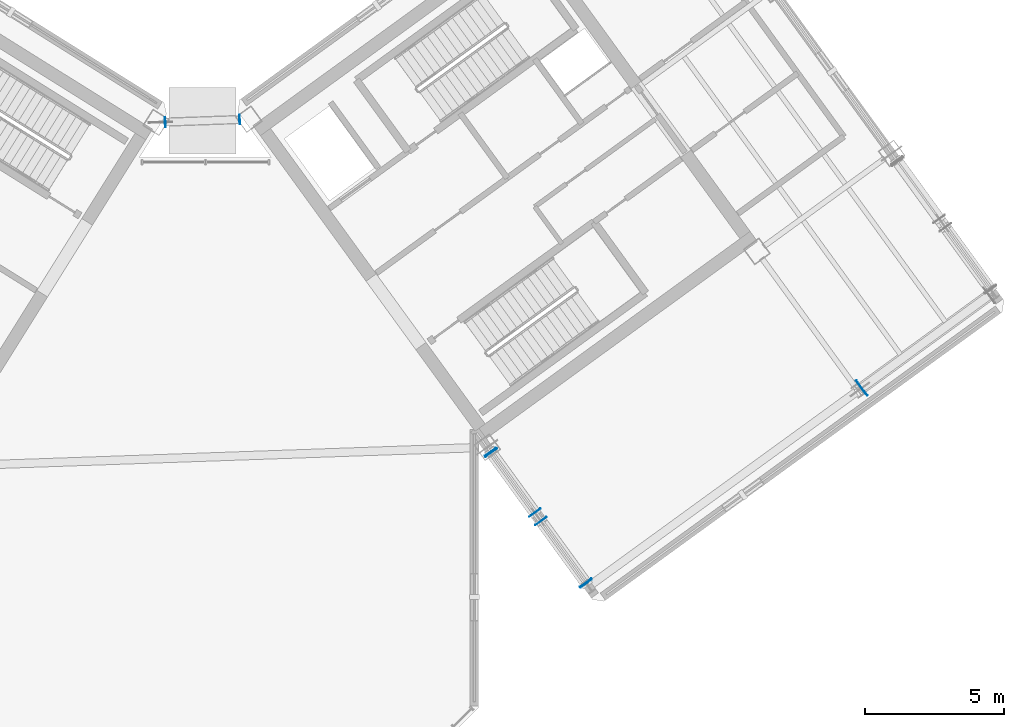
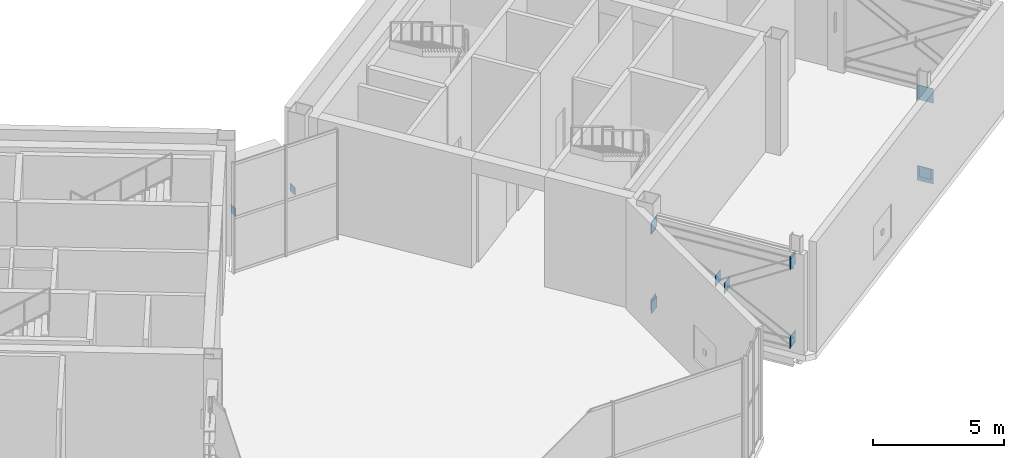
# One storey, part 19 of 32: 15 plates.
"""IFC4 building model written with IfcOpenShell, lengths in metres."""

from ifc_helpers import new_model, si_unit, direction, frame, origin, origin_2d, place, context, subcontext, project, spatial, rectangle, extrude, source, transform, mapped, material, layer, layer_set, type_object, element, save


model = new_model("IFC4")

# Units and contexts
model_context = context("Model", 3, precision=1e-05, world=origin(), true_north=direction((0.0, 1.0)))
body_context = subcontext(model_context, "Body", "Model", "MODEL_VIEW")
ifc_project = project(units=[si_unit("LENGTHUNIT", "METRE"), si_unit("AREAUNIT", "SQUARE_METRE"), si_unit("VOLUMEUNIT", "CUBIC_METRE"), si_unit("PLANEANGLEUNIT", "RADIAN"), si_unit("MASSUNIT", "GRAM", prefix="KILO")], contexts=[model_context])

# Site, building, storey
site_placement = place(None, origin())
site = spatial("IfcSite", under=ifc_project, at=site_placement, CompositionType="ELEMENT")
building_placement = place(site_placement, origin())
building = spatial("IfcBuilding", under=site, at=building_placement, Name="Tlacorven Tower", CompositionType="ELEMENT")
storey_placement = place(building_placement, frame((0.0, 0.0, 245.699951171875)))
storey = spatial("IfcBuildingStorey", under=building, at=storey_placement, Name="L62", CompositionType="ELEMENT", Elevation=245.699951171875)

# Plates
ifc_material = material(Name="Steel S460M", Category="steel")
ifc_layer_1 = layer(ifc_material, 0.02001953125)
ifc_layer_set_1 = layer_set([ifc_layer_1], Name="Steel S460M")
plate_type_1 = type_object("IfcPlateType", Name="PL-CAP-END2", PredefinedType="USERDEFINED", material=ifc_layer_set_1)
shared_shape_1 = source(origin(), body_context, "Body", "SweptSolid", [
    extrude(rectangle(XDim=0.02001953125, YDim=0.514892578125, at=origin_2d()), origin(), (0.0, 0.0, 1.0), 0.514892578125),
])
for number, where, z_axis, x_axis, name in (
    (1, (52.846435546875, 12.579345703125, 0.1923828125), (0.0, 0.0, 1.0), (0.587785262106, -0.809016987245, 0.0), "L62 hollow end cap plate OUT-L62-E1-B 1"),
    (2, (56.252685546875, 7.890869140625, 0.1923828125), (0.0, 0.0, 1.0), (0.587785262106, -0.809016987245, 0.0), "L62 hollow end cap plate OUT-L62-E1-B 2"),
    (3, (52.846435546875, 12.579345703125, 3.97265625), (0.0, 0.0, 1.0), (0.587785262106, -0.809016987245, 0.0), "L62 hollow end cap plate OUT-L62-E1-T 1"),
    (4, (56.252685546875, 7.890869140625, 3.97265625), (0.0, 0.0, 1.0), (0.587785262106, -0.809016987245, 0.0), "L62 hollow end cap plate OUT-L62-E1-T 2"),
):
    element("IfcPlate", number, at=place(storey_placement, frame(where, z_axis=z_axis, x_axis=x_axis)), inside=storey, type_object=plate_type_1, Name=name, ObjectType="END PLATE", PredefinedType="USERDEFINED", context=body_context, shape_type="MappedRepresentation", body=[
        mapped(shared_shape_1, transform((0.0, 0.0, 0.0), scale=1.0)),
    ])
shared_shape_2 = source(origin(), body_context, "Body", "SweptSolid", [
    extrude(rectangle(XDim=0.02001953125, YDim=0.49609375, at=origin_2d()), origin(), (0.0, 0.0, 1.0), 0.49609375),
])
for number, where, z_axis, x_axis, name in (
    (5, (52.825927734375, 12.607666015625, 0.326904296875), (0.0, 0.0, 1.0), (0.587785177668, -0.809017048593, 0.0), "L62 hollow end cap plate OUT-L62-E1-D1 1"),
    (6, (56.266845703125, 7.87158203125, 3.89599609375), (0.0, 0.0, 1.0), (0.587785177668, -0.809017048593, 0.0), "L62 hollow end cap plate OUT-L62-E1-D1 2"),
    (7, (52.825927734375, 12.607666015625, 3.857177734375), (0.0, 0.0, 1.0), (0.587783849087, -0.809018013861, 0.0), "L62 hollow end cap plate OUT-L62-E1-D2A 1"),
    (8, (54.417236328125, 10.41748046875, 2.20654296875), (0.0, 0.0, 1.0), (0.587783849087, -0.809018013861, 0.0), "L62 hollow end cap plate OUT-L62-E1-D2A 2"),
    (9, (54.637939453125, 10.113525390625, 1.9775390625), (0.0, 0.0, 1.0), (0.587786631534, -0.809015992295, 0.0), "L62 hollow end cap plate OUT-L62-E1-D2B 1"),
    (10, (56.266845703125, 7.87158203125, 0.287841796875), (0.0, 0.0, 1.0), (0.587786631534, -0.809015992295, 0.0), "L62 hollow end cap plate OUT-L62-E1-D2B 2"),
):
    element("IfcPlate", number, at=place(storey_placement, frame(where, z_axis=z_axis, x_axis=x_axis)), inside=storey, type_object=plate_type_1, Name=name, ObjectType="END PLATE", PredefinedType="USERDEFINED", context=body_context, shape_type="MappedRepresentation", body=[
        mapped(shared_shape_2, transform((0.0, 0.0, 0.0), scale=1.0)),
    ])
ifc_layer_2 = layer(ifc_material, 0.02392578125)
ifc_layer_set_2 = layer_set([ifc_layer_2], Name="Steel S460M")
plate_type_2 = type_object("IfcPlateType", Name="PL-CAP-END1", PredefinedType="USERDEFINED", material=ifc_layer_set_2)
shared_shape_3 = source(origin(), body_context, "Body", "SweptSolid", [
    extrude(rectangle(XDim=0.02392578125, YDim=0.679931640625, at=origin_2d()), origin(), (0.0, 0.0, 1.0), 0.679931640625),
])
for number, where, z_axis, x_axis, name in (
    (11, (66.19140625, 14.907958984375, 0.10986328125), (0.0, 0.0, 1.0), (0.80901700447, 0.587785238398, 0.0), "L62 hollow end cap plate BLT-L62-E1-B 1"),
    (12, (66.19140625, 14.907958984375, 3.89013671875), (0.0, 0.0, 1.0), (0.80901700447, 0.587785238398, 0.0), "L62 hollow end cap plate BLT-L62-E1-T 1"),
):
    element("IfcPlate", number, at=place(storey_placement, frame(where, z_axis=z_axis, x_axis=x_axis)), inside=storey, type_object=plate_type_2, Name=name, ObjectType="END PLATE", PredefinedType="USERDEFINED", context=body_context, shape_type="MappedRepresentation", body=[
        mapped(shared_shape_3, transform((0.0, 0.0, 0.0), scale=1.0)),
    ])
shared_shape_4 = source(origin(), body_context, "Body", "SweptSolid", [
    extrude(rectangle(XDim=0.02392578125, YDim=0.486328125, at=origin_2d()), origin(), (0.0, 0.0, 1.0), 0.486328125),
])
plate_placement = place(storey_placement, frame((66.1845703125, 14.90283203125, 0.305419921875), z_axis=(0.0, 0.0, 1.0), x_axis=(0.809016912294, 0.587785365267, 0.0)))
element("IfcPlate", 13, at=plate_placement, inside=storey, type_object=plate_type_2, Name="L62 hollow end cap plate BLT-L62-E1-D1 1", ObjectType="END PLATE", PredefinedType="USERDEFINED", context=body_context, shape_type="MappedRepresentation", body=[
    mapped(shared_shape_4, transform((0.0, 0.0, 0.0), scale=1.0)),
])
shared_shape_5 = source(origin(), body_context, "Body", "SweptSolid", [
    extrude(rectangle(XDim=0.02392578125, YDim=0.35302734375, at=origin_2d()), origin(), (0.0, 0.0, 1.0), 0.35302734375),
])
for number, where, z_axis, x_axis, name in (
    (14, (41.11279296875, 24.47998046875, 1.573486328125), (0.0, 0.0, 1.0), (0.999390830306, 0.034899402564, 0.0), "L62 hollow end cap plate TRB-L62-RING 1"),
    (15, (43.7939453125, 24.573486328125, 1.573486328125), (0.0, 0.0, 1.0), (0.999390830306, 0.034899402564, 0.0), "L62 hollow end cap plate TRB-L62-RING 2"),
):
    element("IfcPlate", number, at=place(storey_placement, frame(where, z_axis=z_axis, x_axis=x_axis)), inside=storey, type_object=plate_type_2, Name=name, ObjectType="END PLATE", PredefinedType="USERDEFINED", context=body_context, shape_type="MappedRepresentation", body=[
        mapped(shared_shape_5, transform((0.0, 0.0, 0.0), scale=1.0)),
    ])

save(model, "model.ifc")
